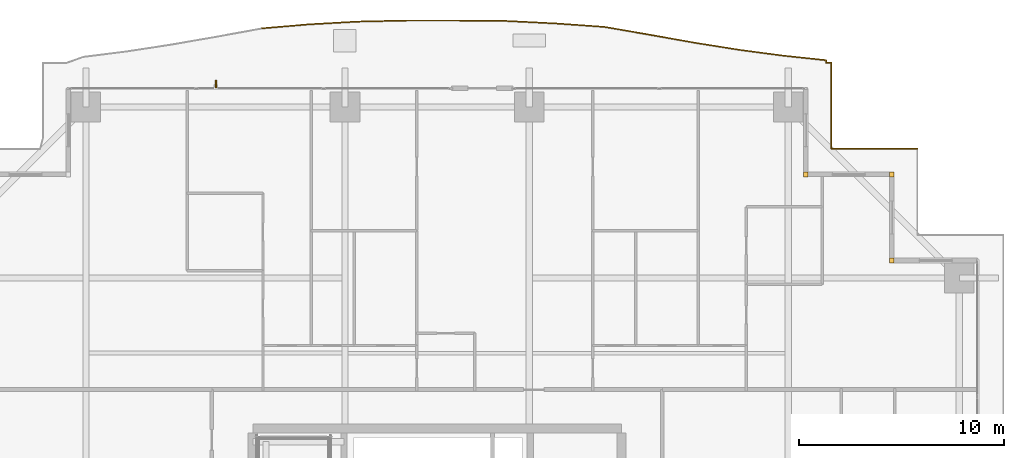
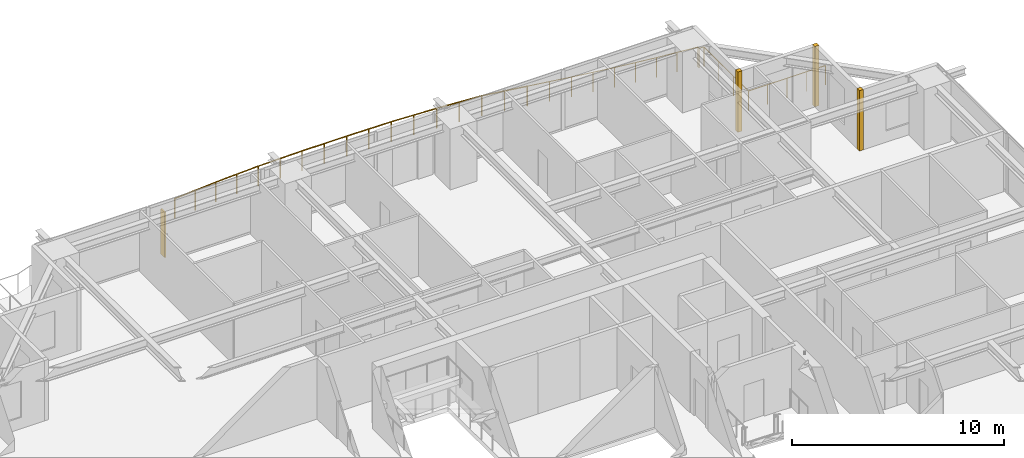
# One storey, part 36 of 36: 3 coverings, 2 railings, 1 shading device.
"""IFC4 building model written with IfcOpenShell, lengths in metres."""

from ifc_helpers import new_model, si_unit, direction, frame, origin, origin_2d, place, context, subcontext, project, spatial, rectangle, circle, extrude, source, transform, mapped, material, layer, layer_set, type_object, element, save


model = new_model("IFC4")

# Units and contexts
model_context = context("Model", 3, precision=1e-05, world=origin(), true_north=direction((0.0, 1.0)))
body_context = subcontext(model_context, "Body", "Model", "MODEL_VIEW")
ifc_project = project(units=[si_unit("LENGTHUNIT", "METRE"), si_unit("AREAUNIT", "SQUARE_METRE"), si_unit("VOLUMEUNIT", "CUBIC_METRE"), si_unit("PLANEANGLEUNIT", "RADIAN"), si_unit("MASSUNIT", "GRAM", prefix="KILO")], contexts=[model_context])

# Site, building, storey
site_placement = place(None, origin())
site = spatial("IfcSite", under=ifc_project, at=site_placement, CompositionType="ELEMENT")
building_placement = place(site_placement, origin())
building = spatial("IfcBuilding", under=site, at=building_placement, Name="Serunith Strait Residences", CompositionType="ELEMENT")
storey_placement = place(building_placement, frame((0.0, 0.0, 86.699951171875)))
storey = spatial("IfcBuildingStorey", under=building, at=storey_placement, Name="L21", CompositionType="ELEMENT", Elevation=86.699951171875)

# Railings
ifc_material_1 = material(Name="Stainless Steel & Laminated Glass Balustrade", Category="steel")
railing_type = type_object("IfcRailingType", Name="RLG-BALC-1150", PredefinedType="BALUSTRADE", material=ifc_material_1)
railing_1_placement = place(storey_placement, frame((23.796630859375, 53.1328125, -0.050048828125)))
element("IfcRailing", 1, at=railing_1_placement, inside=storey, type_object=railing_type, Name="L21 Swirling Balcony Perimeter Balustrade 5", PredefinedType="BALUSTRADE", context=body_context, shape_type="SweptSolid", body=[
    extrude(circle(Radius=0.02392578125, at=origin_2d()), frame((0.001953125, 0.000244140625, 1.1259765625), z_axis=(0.996359732033, 0.085248368798, 0.0), x_axis=(-0.085248368798, 0.996359732033, 0.0)), (0.0, 0.0, 1.0), 2.35302734375),
    extrude(circle(Radius=0.02392578125, at=origin_2d()), frame((2.350341796875, 0.200927734375, 1.1259765625), z_axis=(0.998433264912, 0.055955477995, 0.0), x_axis=(-0.055955477995, 0.998433264912, 0.0)), (0.0, 0.0, 1.0), 2.391357421875),
    extrude(circle(Radius=0.02392578125, at=origin_2d()), frame((4.741943359375, 0.3349609375, 1.1259765625), z_axis=(0.999766594051, 0.021604569436, 0.0), x_axis=(-0.021604569436, 0.999766594051, 0.0)), (0.0, 0.0, 1.0), 2.414306640625),
    extrude(circle(Radius=0.02392578125, at=origin_2d()), frame((7.15966796875, 0.38720703125, 1.1259765625), z_axis=(1.0, 0.0, 0.0), x_axis=(0.0, 1.0, 0.0)), (0.0, 0.0, 1.0), 2.4248046875),
    extrude(circle(Radius=0.02392578125, at=origin_2d()), frame((9.58837890625, 0.38720703125, 1.1259765625), z_axis=(0.999953177066, -0.00967696623, 0.0), x_axis=(0.00967696623, 0.999953177066, 0.0)), (0.0, 0.0, 1.0), 2.41796875),
    extrude(circle(Radius=0.02392578125, at=origin_2d()), frame((12.01025390625, 0.36376953125, 1.1259765625), z_axis=(0.998764724687, -0.049689281755, 0.0), x_axis=(0.049689281755, 0.998764724687, 0.0)), (0.0, 0.0, 1.0), 2.398681640625),
    extrude(circle(Radius=0.02392578125, at=origin_2d()), frame((14.409912109375, 0.244140625, 1.1259765625), z_axis=(0.997501899572, -0.070639651399, 0.0), x_axis=(0.070639651399, 0.997501899572, 0.0)), (0.0, 0.0, 1.0), 2.366943359375),
    extrude(circle(Radius=0.02392578125, at=origin_2d()), frame((16.77490234375, 0.07666015625, 1.1259765625), z_axis=(0.985268929612, -0.171012094136, 0.0), x_axis=(0.171012094136, 0.985268929612, 0.0)), (0.0, 0.0, 1.0), 2.28173828125),
    extrude(circle(Radius=0.02099609375, at=origin_2d()), origin(), (0.0, 0.0, 1.0), 1.099853515625),
    extrude(circle(Radius=0.02099609375, at=origin_2d()), frame((1.17431640625, 0.1005859375, 0.0)), (0.0, 0.0, 1.0), 1.099853515625),
    extrude(circle(Radius=0.02099609375, at=origin_2d()), frame((2.348388671875, 0.200927734375, 0.0)), (0.0, 0.0, 1.0), 1.099853515625),
    extrude(circle(Radius=0.02099609375, at=origin_2d()), frame((3.544189453125, 0.26806640625, 0.0)), (0.0, 0.0, 1.0), 1.099853515625),
    extrude(circle(Radius=0.02099609375, at=origin_2d()), frame((4.739990234375, 0.3349609375, 0.0)), (0.0, 0.0, 1.0), 1.099853515625),
    extrude(circle(Radius=0.02099609375, at=origin_2d()), frame((5.94873046875, 0.361083984375, 0.0)), (0.0, 0.0, 1.0), 1.099853515625),
    extrude(circle(Radius=0.02099609375, at=origin_2d()), frame((7.15771484375, 0.38720703125, 0.0)), (0.0, 0.0, 1.0), 1.099853515625),
    extrude(circle(Radius=0.02099609375, at=origin_2d()), frame((8.3720703125, 0.38720703125, 0.0)), (0.0, 0.0, 1.0), 1.099853515625),
    extrude(circle(Radius=0.02099609375, at=origin_2d()), frame((9.58642578125, 0.38720703125, 0.0)), (0.0, 0.0, 1.0), 1.099853515625),
    extrude(circle(Radius=0.02099609375, at=origin_2d()), frame((10.79736328125, 0.37548828125, 0.0)), (0.0, 0.0, 1.0), 1.099853515625),
    extrude(circle(Radius=0.02099609375, at=origin_2d()), frame((12.00830078125, 0.36376953125, 0.0)), (0.0, 0.0, 1.0), 1.099853515625),
    extrude(circle(Radius=0.02099609375, at=origin_2d()), frame((13.2080078125, 0.30419921875, 0.0)), (0.0, 0.0, 1.0), 1.099853515625),
    extrude(circle(Radius=0.02099609375, at=origin_2d()), frame((14.407958984375, 0.244384765625, 0.0)), (0.0, 0.0, 1.0), 1.099853515625),
    extrude(circle(Radius=0.02099609375, at=origin_2d()), frame((15.59033203125, 0.16064453125, 0.0)), (0.0, 0.0, 1.0), 1.099853515625),
    extrude(circle(Radius=0.02099609375, at=origin_2d()), frame((16.77294921875, 0.076904296875, 0.0)), (0.0, 0.0, 1.0), 1.099853515625),
    extrude(circle(Radius=0.02099609375, at=origin_2d()), frame((17.89892578125, -0.11865234375, 0.0)), (0.0, 0.0, 1.0), 1.099853515625),
    extrude(circle(Radius=0.02099609375, at=origin_2d()), frame((19.02490234375, -0.31396484375, 0.0)), (0.0, 0.0, 1.0), 1.099853515625),
])
railing_2_placement = place(storey_placement, frame((42.821533203125, 52.81884765625, -0.050048828125)))
element("IfcRailing", 2, at=railing_2_placement, inside=storey, type_object=railing_type, Name="L21 Swirling Balcony Perimeter Balustrade 6", PredefinedType="BALUSTRADE", context=body_context, shape_type="SweptSolid", body=[
    extrude(circle(Radius=0.02392578125, at=origin_2d()), frame((0.001953125, -0.000244140625, 1.1259765625), z_axis=(0.984578084563, -0.174945692712, 0.0), x_axis=(0.174945692712, 0.984578084563, 0.0)), (0.0, 0.0, 1.0), 2.21630859375),
    extrude(circle(Radius=0.02392578125, at=origin_2d()), frame((2.18798828125, -0.388671875, 1.1259765625), z_axis=(0.987584664736, -0.15708765062, 0.0), x_axis=(0.15708765062, 0.987584664736, 0.0)), (0.0, 0.0, 1.0), 2.168701171875),
    extrude(circle(Radius=0.02392578125, at=origin_2d()), frame((4.333740234375, -0.72998046875, 1.1259765625), z_axis=(0.991257728061, -0.131939821735, 0.0), x_axis=(0.131939821735, 0.991257728061, 0.0)), (0.0, 0.0, 1.0), 2.138671875),
    extrude(circle(Radius=0.02392578125, at=origin_2d()), frame((6.457763671875, -1.0126953125, 1.1259765625), z_axis=(0.994394301973, -0.105735387662, 0.0), x_axis=(0.105735387662, 0.994394301973, 0.0)), (0.0, 0.0, 1.0), 2.124755859375),
    extrude(circle(Radius=0.02392578125, at=origin_2d()), frame((8.57275390625, -1.239501953125, 1.1259765625), z_axis=(-0.008048029087, -0.999967614089, 0.0), x_axis=(0.999967614089, -0.008048029087, 0.0)), (0.0, 0.0, 1.0), 0.117431640625),
    extrude(circle(Radius=0.02392578125, at=origin_2d()), frame((8.57373046875, -1.35888671875, 1.1259765625), z_axis=(1.0, 0.0, 0.0), x_axis=(0.0, 1.0, 0.0)), (0.0, 0.0, 1.0), 0.2626953125),
    extrude(circle(Radius=0.02392578125, at=origin_2d()), frame((8.83837890625, -1.36083984375, 1.1259765625), z_axis=(0.0, -1.0, 0.0), x_axis=(1.0, 0.0, 0.0)), (0.0, 0.0, 1.0), 4.196044921875),
    extrude(circle(Radius=0.02392578125, at=origin_2d()), frame((8.84033203125, -5.558837890625, 1.1259765625), z_axis=(1.0, 0.0, 0.0), x_axis=(0.0, 1.0, 0.0)), (0.0, 0.0, 1.0), 4.1962890625),
    extrude(circle(Radius=0.02099609375, at=origin_2d()), origin(), (0.0, 0.0, 1.0), 1.099853515625),
    extrude(circle(Radius=0.02099609375, at=origin_2d()), frame((1.093017578125, -0.1943359375, 0.0)), (0.0, 0.0, 1.0), 1.099853515625),
    extrude(circle(Radius=0.02099609375, at=origin_2d()), frame((2.18603515625, -0.388427734375, 0.0)), (0.0, 0.0, 1.0), 1.099853515625),
    extrude(circle(Radius=0.02099609375, at=origin_2d()), frame((3.2587890625, -0.55908203125, 0.0)), (0.0, 0.0, 1.0), 1.099853515625),
    extrude(circle(Radius=0.02099609375, at=origin_2d()), frame((4.331787109375, -0.729736328125, 0.0)), (0.0, 0.0, 1.0), 1.099853515625),
    extrude(circle(Radius=0.02099609375, at=origin_2d()), frame((5.393798828125, -0.87109375, 0.0)), (0.0, 0.0, 1.0), 1.099853515625),
    extrude(circle(Radius=0.02099609375, at=origin_2d()), frame((6.455810546875, -1.012451171875, 0.0)), (0.0, 0.0, 1.0), 1.099853515625),
    extrude(circle(Radius=0.02099609375, at=origin_2d()), frame((7.51416015625, -1.125, 0.0)), (0.0, 0.0, 1.0), 1.099853515625),
    extrude(circle(Radius=0.02099609375, at=origin_2d()), frame((8.57275390625, -1.237548828125, 0.0)), (0.0, 0.0, 1.0), 1.099853515625),
    extrude(circle(Radius=0.02099609375, at=origin_2d()), frame((8.57177734375, -1.35888671875, 0.0)), (0.0, 0.0, 1.0), 1.099853515625),
    extrude(circle(Radius=0.02099609375, at=origin_2d()), frame((8.83837890625, -1.35888671875, 0.0)), (0.0, 0.0, 1.0), 1.099853515625),
    extrude(circle(Radius=0.02099609375, at=origin_2d()), frame((8.83837890625, -2.7587890625, 0.0)), (0.0, 0.0, 1.0), 1.099853515625),
    extrude(circle(Radius=0.02099609375, at=origin_2d()), frame((8.83837890625, -4.158935546875, 0.0)), (0.0, 0.0, 1.0), 1.099853515625),
    extrude(circle(Radius=0.02099609375, at=origin_2d()), frame((8.83837890625, -5.558837890625, 0.0)), (0.0, 0.0, 1.0), 1.099853515625),
    extrude(circle(Radius=0.02099609375, at=origin_2d()), frame((9.888427734375, -5.558837890625, 0.0)), (0.0, 0.0, 1.0), 1.099853515625),
    extrude(circle(Radius=0.02099609375, at=origin_2d()), frame((10.9384765625, -5.558837890625, 0.0)), (0.0, 0.0, 1.0), 1.099853515625),
    extrude(circle(Radius=0.02099609375, at=origin_2d()), frame((11.988525390625, -5.558837890625, 0.0)), (0.0, 0.0, 1.0), 1.099853515625),
    extrude(circle(Radius=0.02099609375, at=origin_2d()), frame((13.03857421875, -5.558837890625, 0.0)), (0.0, 0.0, 1.0), 1.099853515625),
])

# Coverings
ifc_material_2 = material(Name="Pale-Champagne Anodised Aluminium", Category="aluminium")
ifc_layer = layer(ifc_material_2, 0.219970703125, Name="Pale-Champagne Anodised Aluminium")
ifc_layer_set = layer_set([ifc_layer], Name="Pale-Champagne Anodised Aluminium")
covering_type = type_object("IfcCoveringType", Name="COV-CORN-TRIM", PredefinedType="CLADDING", material=ifc_layer_set)
shared_shape_1 = source(origin(), body_context, "Body", "SweptSolid", [
    extrude(rectangle(XDim=0.221923828125, YDim=0.221923828125, at=origin_2d()), origin(), (0.0, 0.0, 1.0), 3.47509765625),
])
for number, where, z_axis, x_axis, name in (
    (3, (54.60009765625, 41.800048828125, 0.0), (0.0, 0.0, 1.0), (1.0, 0.0, 0.0), "L21 Girih Serrated Corner Trim Post 07"),
    (4, (54.60009765625, 46.0, 0.0), (0.0, 0.0, 1.0), (1.0, 0.0, 0.0), "L21 Girih Serrated Corner Trim Post 08"),
    (5, (50.39990234375, 46.0, 0.0), (0.0, 0.0, 1.0), (1.0, 0.0, 0.0), "L21 Girih Serrated Corner Trim Post 09"),
):
    element("IfcCovering", number, at=place(storey_placement, frame(where, z_axis=z_axis, x_axis=x_axis)), inside=storey, type_object=covering_type, Name=name, PredefinedType="CLADDING", context=body_context, shape_type="MappedRepresentation", body=[
        mapped(shared_shape_1, transform((0.0, 0.0, 0.0), scale=1.0)),
    ])

# Shading device
ifc_material_3 = material(Name="Pale-Champagne Perforated Aluminium Fin", Category="aluminium")
shading_device_type = type_object("IfcShadingDeviceType", Name="SHD-DIAG-FIN", PredefinedType="AWNING", material=ifc_material_3)
shared_shape_2 = source(origin(), body_context, "Body", "SweptSolid", [
    extrude(rectangle(XDim=0.080078125, YDim=0.35009765625, at=origin_2d()), origin(), (0.0, 0.0, 1.0), 2.60009765625),
])
shading_device_placement = place(storey_placement, frame((21.60009765625, 50.419921875, 0.199951171875), z_axis=(0.0, 0.0, 1.0), x_axis=(1.0, 0.0, 0.0)))
element("IfcShadingDevice", 6, at=shading_device_placement, inside=storey, type_object=shading_device_type, Name="L21 Diagonal Rhythm Solar Fin N", PredefinedType="AWNING", context=body_context, shape_type="MappedRepresentation", body=[
    mapped(shared_shape_2, transform((0.0, 0.0, 0.0), scale=1.0)),
])

save(model, "model.ifc")
